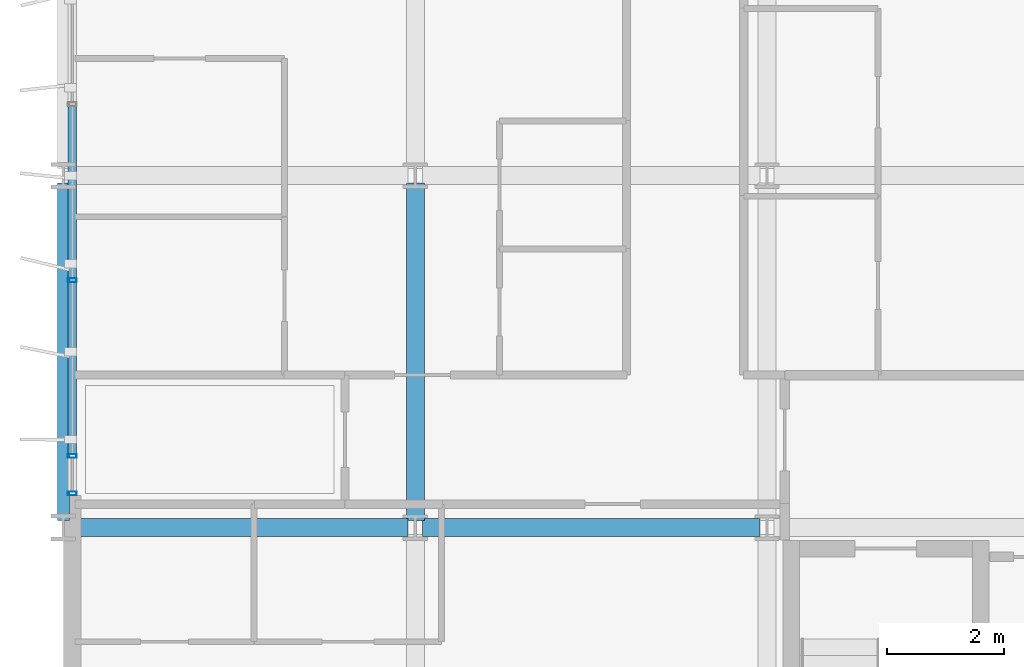
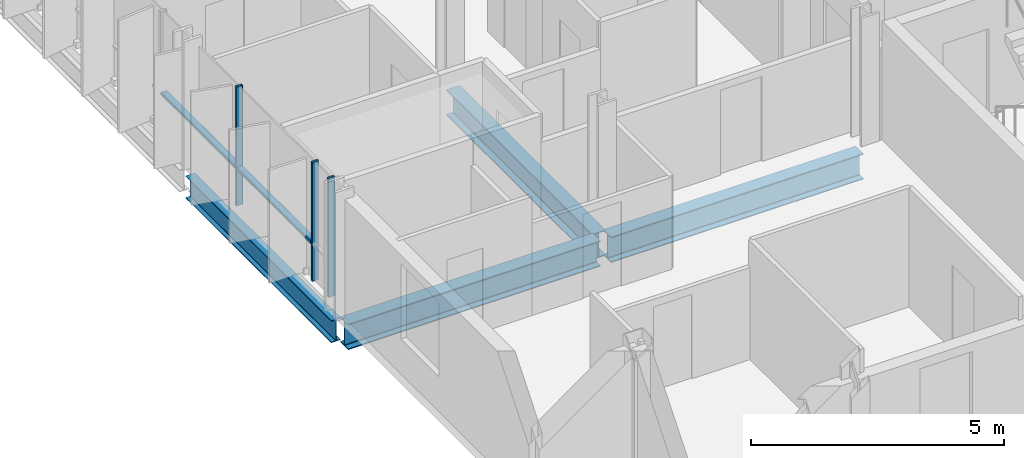
# One storey, part 2 of 38: 5 members, 4 beams, 1 element without a shape of its own.
"""IFC4 building model written with IfcOpenShell, lengths in metres."""

from ifc_helpers import new_model, si_unit, direction, frame, origin, origin_2d, place, context, subcontext, project, spatial, hollow_rectangle, i_section, extrude, material, layer, layer_set, material_profile, profile_set, type_object, element, aggregate, save


model = new_model("IFC4")

# Units and contexts
model_context = context("Model", 3, precision=1e-05, world=origin(), true_north=direction((0.0, 1.0)))
body_context = subcontext(model_context, "Body", "Model", "MODEL_VIEW")
ifc_project = project(units=[si_unit("LENGTHUNIT", "METRE"), si_unit("AREAUNIT", "SQUARE_METRE"), si_unit("VOLUMEUNIT", "CUBIC_METRE"), si_unit("PLANEANGLEUNIT", "RADIAN"), si_unit("MASSUNIT", "GRAM", prefix="KILO")], contexts=[model_context])

# Site, building, storey
site_placement = place(None, origin())
site = spatial("IfcSite", under=ifc_project, at=site_placement, CompositionType="ELEMENT")
building_placement = place(site_placement, origin())
building = spatial("IfcBuilding", under=site, at=building_placement, Name="Brevholm Reach", CompositionType="ELEMENT")
storey_placement = place(building_placement, frame((0.0, 0.0, 65.199951171875)))
storey = spatial("IfcBuildingStorey", under=building, at=storey_placement, Name="L18", CompositionType="ELEMENT", Elevation=65.199951171875)

# Beams
ifc_material_1 = material(Name="Structural Steel S355J2", Category="steel")
ifc_material_profile_1 = material_profile(ifc_material_1, i_section(OverallWidth=0.210693359375, OverallDepth=0.53955078125, WebThickness=0.01171875, FlangeThickness=0.018798828125, FilletRadius=0.0126953125, at=origin_2d()), Name="UKB 533x210x109")
ifc_profile_set_1 = profile_set([ifc_material_profile_1], Name="Structural Steel S355J2")
beam_type_1 = type_object("IfcBeamType", Name="BM-SP539", PredefinedType="SPANDREL", material=ifc_profile_set_1)
beam_placement = place(storey_placement, frame((0.0, 10.1201171875, -0.499755859375), z_axis=(0.0, 1.0, 0.0), x_axis=(-1.0, 0.0, 0.0)))
element("IfcBeam", 1, at=beam_placement, inside=storey, type_object=beam_type_1, Name="L18 SP-01B Framing Beam", PredefinedType="SPANDREL", context=body_context, shape_type="SweptSolid", body=[
    extrude(i_section(OverallWidth=0.210693359375, OverallDepth=0.53955078125, WebThickness=0.01171875, FlangeThickness=0.018798828125, FilletRadius=0.0126953125, at=origin_2d()), origin(), (0.0, 0.0, 1.0), 5.759765625),
])
ifc_material_2 = material(Name="Structural Steel S355J2", Category="steel")
ifc_material_profile_2 = material_profile(ifc_material_2, i_section(OverallWidth=0.30712890625, OverallDepth=0.6201171875, WebThickness=0.01416015625, FlangeThickness=0.023681640625, FilletRadius=0.0166015625, at=origin_2d()), Name="UKB 610x305x179")
ifc_profile_set_2 = profile_set([ifc_material_profile_2], Name="Structural Steel S355J2")
beam_type_2 = type_object("IfcBeamType", Name="BM-UKB610H", PredefinedType="USERDEFINED", material=ifc_profile_set_2)
for number, where, z_axis, x_axis, name in (
    (2, (0.1201171875, 10.0, -0.5400390625), (1.0, 0.0, 0.0), (0.0, 1.0, 0.0), "L18 G-06 Framing Beam"),
    (3, (6.1201171875, 10.0, -0.5400390625), (1.0, 0.0, 0.0), (0.0, 1.0, 0.0), "L18 G-06 Framing Beam"),
    (4, (6.0, 10.1201171875, -0.5400390625), (0.0, 1.0, 0.0), (-1.0, 0.0, 0.0), "L18 G-06 Framing Beam"),
):
    element("IfcBeam", number, at=place(storey_placement, frame(where, z_axis=z_axis, x_axis=x_axis)), inside=storey, type_object=beam_type_2, Name=name, ObjectType="GIRDER", PredefinedType="USERDEFINED", context=body_context, shape_type="SweptSolid", body=[
        extrude(i_section(OverallWidth=0.30712890625, OverallDepth=0.6201171875, WebThickness=0.01416015625, FlangeThickness=0.023681640625, FilletRadius=0.0166015625, at=origin_2d()), origin(), (0.0, 0.0, 1.0), 5.759765625),
    ])

# Curtain wall, members
ifc_material_3 = material(Name="Dark Anodised Aluminium 6063-T6 and Solar-Control Glass", Category="aluminium")
ifc_layer = layer(ifc_material_3, 0.14990234375)
ifc_layer_set = layer_set([ifc_layer], Name="Dark Anodised Aluminium 6063-T6 and Solar-Control Glass")
curtain_wall_type = type_object("IfcCurtainWallType", Name="CW-01", PredefinedType="NOTDEFINED", material=ifc_layer_set)
curtain_wall_placement = place(storey_placement, origin())
curtain_wall = element("IfcCurtainWall", 5, at=curtain_wall_placement, inside=storey, type_object=curtain_wall_type, Name="L18 Curtain Wall CW-01", PredefinedType="NOTDEFINED")
ifc_material_4 = material(Name="Dark Anodised Aluminium 6063-T6", Category="aluminium")
ifc_material_profile_3 = material_profile(ifc_material_4, hollow_rectangle(XDim=0.06494140625, YDim=0.14990234375, WallThickness=0.0048828125, InnerFilletRadius=0.0048828125, OuterFilletRadius=0.010009765625, at=origin_2d()), Name="RHS 150x65x5")
ifc_profile_set_3 = profile_set([ifc_material_profile_3], Name="Dark Anodised Aluminium 6063-T6")
member_type_1 = type_object("IfcMemberType", Name="CWM-150", PredefinedType="MULLION", material=ifc_profile_set_3)
member_1_placement = place(storey_placement, frame((0.14990234375, 14.219970703125, 0.0), z_axis=(0.0, 0.0, 1.0), x_axis=(0.0, -1.0, 0.0)))
member_1 = element("IfcMember", 6, at=member_1_placement, type_object=member_type_1, Name="CM-150 Mullion 4", PredefinedType="MULLION", context=body_context, shape_type="SweptSolid", body=[
    extrude(hollow_rectangle(XDim=0.06494140625, YDim=0.14990234375, WallThickness=0.0048828125, InnerFilletRadius=0.0048828125, OuterFilletRadius=0.010009765625, at=origin_2d()), origin(), (0.0, 0.0, 1.0), 2.8701171875),
])
member_2_placement = place(storey_placement, frame((0.14990234375, 11.219970703125, 0.0), z_axis=(0.0, 0.0, 1.0), x_axis=(0.0, -1.0, 0.0)))
member_2 = element("IfcMember", 7, at=member_2_placement, type_object=member_type_1, Name="CM-150 Mullion 5", PredefinedType="MULLION", context=body_context, shape_type="SweptSolid", body=[
    extrude(hollow_rectangle(XDim=0.06494140625, YDim=0.14990234375, WallThickness=0.0048828125, InnerFilletRadius=0.0048828125, OuterFilletRadius=0.010009765625, at=origin_2d()), origin(), (0.0, 0.0, 1.0), 2.8701171875),
])
member_3_placement = place(storey_placement, frame((0.14990234375, 10.58251953125, 0.0), z_axis=(0.0, 0.0, 1.0), x_axis=(0.0, -1.0, 0.0)))
member_3 = element("IfcMember", 8, at=member_3_placement, type_object=member_type_1, Name="CM-150 Mullion 6", PredefinedType="MULLION", context=body_context, shape_type="SweptSolid", body=[
    extrude(hollow_rectangle(XDim=0.06494140625, YDim=0.14990234375, WallThickness=0.0048828125, InnerFilletRadius=0.0048828125, OuterFilletRadius=0.010009765625, at=origin_2d()), origin(), (0.0, 0.0, 1.0), 2.8701171875),
])
ifc_material_5 = material(Name="Dark Anodised Aluminium 6063-T6", Category="aluminium")
ifc_material_profile_4 = material_profile(ifc_material_5, hollow_rectangle(XDim=0.06494140625, YDim=0.14990234375, WallThickness=0.0048828125, InnerFilletRadius=0.0048828125, OuterFilletRadius=0.010009765625, at=origin_2d()), Name="RHS 150x65x5")
ifc_profile_set_4 = profile_set([ifc_material_profile_4], Name="Dark Anodised Aluminium 6063-T6")
member_type_2 = type_object("IfcMemberType", Name="CWT-150", PredefinedType="NOTDEFINED", material=ifc_profile_set_4)
member_4_placement = place(storey_placement, frame((0.14990234375, 17.1875, 0.900146484375), z_axis=(0.0, -1.0, 0.0), x_axis=(0.0, 0.0, 1.0)))
member_4 = element("IfcMember", 9, at=member_4_placement, type_object=member_type_2, Name="CT-150 Transom 3.1", ObjectType="TRANSOM", PredefinedType="USERDEFINED", context=body_context, shape_type="SweptSolid", body=[
    extrude(hollow_rectangle(XDim=0.06494140625, YDim=0.14990234375, WallThickness=0.0048828125, InnerFilletRadius=0.0048828125, OuterFilletRadius=0.010009765625, at=origin_2d()), origin(), (0.0, 0.0, 1.0), 2.93505859375),
])
member_5_placement = place(storey_placement, frame((0.14990234375, 14.1875, 0.900146484375), z_axis=(0.0, -1.0, 0.0), x_axis=(0.0, 0.0, 1.0)))
member_5 = element("IfcMember", 10, at=member_5_placement, type_object=member_type_2, Name="CT-150 Transom 4.1", ObjectType="TRANSOM", PredefinedType="USERDEFINED", context=body_context, shape_type="SweptSolid", body=[
    extrude(hollow_rectangle(XDim=0.06494140625, YDim=0.14990234375, WallThickness=0.0048828125, InnerFilletRadius=0.0048828125, OuterFilletRadius=0.010009765625, at=origin_2d()), origin(), (0.0, 0.0, 1.0), 2.93505859375),
])
aggregate(curtain_wall, [member_1, member_2, member_3, member_4, member_5])

save(model, "model.ifc")
